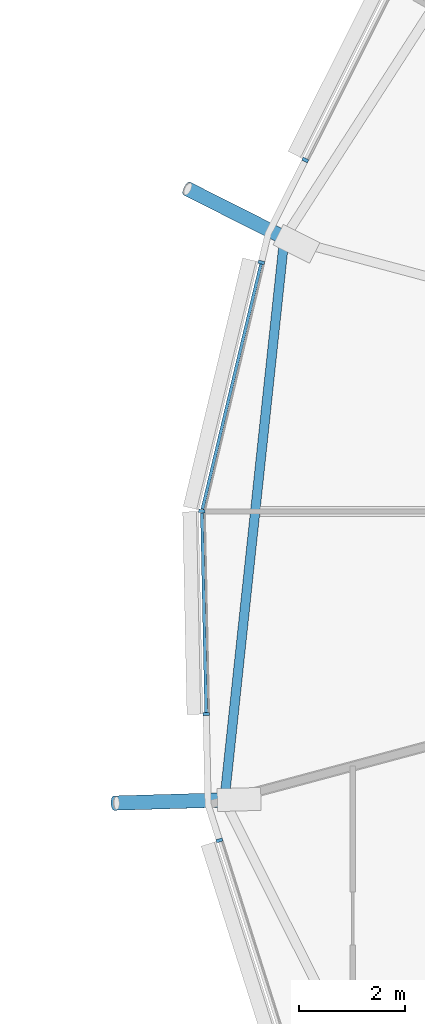
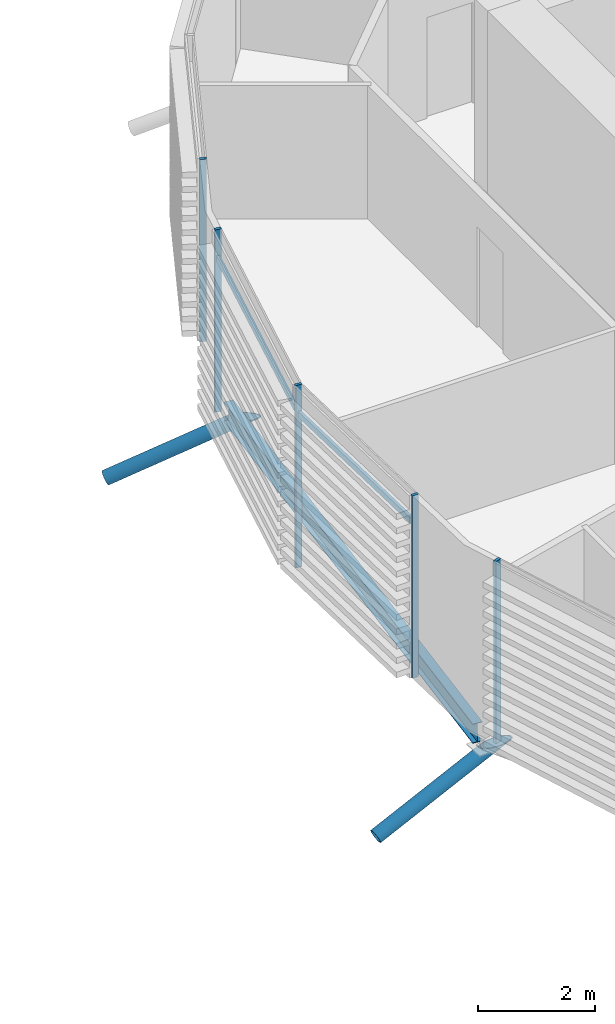
# One storey, part 9 of 36: 9 members, 1 beam, 1 element without a shape of its own.
"""IFC4 building model written with IfcOpenShell, lengths in metres."""

from ifc_helpers import new_model, si_unit, direction, frame, origin, origin_2d, place, context, subcontext, project, spatial, rectangle, hollow_circle, i_section, extrude, clip, halfspace, material, material_profile, profile_set, type_object, element, aggregate, save


model = new_model("IFC4")

# Units and contexts
model_context = context("Model", 3, precision=1e-05, world=origin(), true_north=direction((0.0, 1.0)))
body_context = subcontext(model_context, "Body", "Model", "MODEL_VIEW")
ifc_project = project(units=[si_unit("LENGTHUNIT", "METRE"), si_unit("AREAUNIT", "SQUARE_METRE"), si_unit("VOLUMEUNIT", "CUBIC_METRE"), si_unit("PLANEANGLEUNIT", "RADIAN"), si_unit("MASSUNIT", "GRAM", prefix="KILO")], contexts=[model_context])

# Site, building, storey
site_placement = place(None, origin())
site = spatial("IfcSite", under=ifc_project, at=site_placement, CompositionType="ELEMENT")
building_placement = place(site_placement, origin())
building = spatial("IfcBuilding", under=site, at=building_placement, Name="Rimbun Link Towers", CompositionType="ELEMENT")
storey_placement = place(building_placement, frame((0.0, 0.0, 33.800048828125)))
storey = spatial("IfcBuildingStorey", under=building, at=storey_placement, Name="L07", CompositionType="ELEMENT", Elevation=33.800048828125)

# Curtain wall, members
ifc_material_1 = material(Name="Aluminium 6063-T6 and low-iron glass", Category="aluminium")
curtain_wall_type = type_object("IfcCurtainWallType", Name="CW1 unitised vision wall", PredefinedType="NOTDEFINED", material=ifc_material_1)
curtain_wall_placement = place(storey_placement, origin())
curtain_wall = element("IfcCurtainWall", 1, at=curtain_wall_placement, inside=storey, type_object=curtain_wall_type, Name="CW1 L07 T2", PredefinedType="NOTDEFINED")
ifc_material_2 = material(Name="Aluminium 6063-T6", Category="aluminium")
ifc_material_profile_1 = material_profile(ifc_material_2, rectangle(XDim=0.1201171875, YDim=0.06005859375, at=origin_2d()), Name="MULLION 60X120")
ifc_profile_set_1 = profile_set([ifc_material_profile_1], Name="Aluminium 6063-T6")
member_type_1 = type_object("IfcMemberType", Name="CW1 mullion 60X120", PredefinedType="MULLION", material=ifc_profile_set_1)
member_1_placement = place(storey_placement, frame((12.9072265625, 6.633056640625, 0.0), z_axis=(0.0, 0.0, 1.0), x_axis=(-0.893645687489, 0.448773200217, 0.0)))
member_1 = element("IfcMember", 2, at=member_1_placement, type_object=member_type_1, Name="CW1 mullion", PredefinedType="MULLION", context=body_context, shape_type="SweptSolid", body=[
    extrude(rectangle(XDim=0.1201171875, YDim=0.06005859375, at=origin_2d()), origin(), (0.0, 0.0, 1.0), 3.800048828125),
])
member_2_placement = place(storey_placement, frame((10.956787109375, 0.00634765625, 0.0), z_axis=(0.0, 0.0, 1.0), x_axis=(-0.994297194147, 0.106644689088, 0.0)))
member_2 = element("IfcMember", 3, at=member_2_placement, type_object=member_type_1, Name="CW1 mullion", PredefinedType="MULLION", context=body_context, shape_type="SweptSolid", body=[
    extrude(rectangle(XDim=0.1201171875, YDim=0.06005859375, at=origin_2d()), origin(), (0.0, 0.0, 1.0), 3.800048828125),
])
member_3_placement = place(storey_placement, frame((12.078857421875, 4.699951171875, 0.0), z_axis=(0.0, 0.0, 1.0), x_axis=(-0.972569455913, 0.23261266824, 0.0)))
member_3 = element("IfcMember", 4, at=member_3_placement, type_object=member_type_1, Name="CW1 mullion", PredefinedType="MULLION", context=body_context, shape_type="SweptSolid", body=[
    extrude(rectangle(XDim=0.1201171875, YDim=0.06005859375, at=origin_2d()), origin(), (0.0, 0.0, 1.0), 3.800048828125),
])
member_4_placement = place(storey_placement, frame((11.037109375, -3.825927734375, 0.0), z_axis=(0.0, 0.0, 1.0), x_axis=(-0.999778089999, -0.021065867113, 0.0)))
member_4 = element("IfcMember", 5, at=member_4_placement, type_object=member_type_1, Name="CW1 mullion", PredefinedType="MULLION", context=body_context, shape_type="SweptSolid", body=[
    extrude(rectangle(XDim=0.1201171875, YDim=0.06005859375, at=origin_2d()), origin(), (0.0, 0.0, 1.0), 3.800048828125),
])
member_5_placement = place(storey_placement, frame((11.287841796875, -6.20947265625, 0.0), z_axis=(0.0, 0.0, 1.0), x_axis=(-0.952967107147, -0.303073741351, 0.0)))
member_5 = element("IfcMember", 6, at=member_5_placement, type_object=member_type_1, Name="CW1 mullion", PredefinedType="MULLION", context=body_context, shape_type="SweptSolid", body=[
    extrude(rectangle(XDim=0.1201171875, YDim=0.06005859375, at=origin_2d()), origin(), (0.0, 0.0, 1.0), 3.800048828125),
])
ifc_material_3 = material(Name="Aluminium 6063-T6", Category="aluminium")
ifc_material_profile_2 = material_profile(ifc_material_3, rectangle(XDim=0.06005859375, YDim=0.1201171875, at=origin_2d()), Name="TRANSOM 60X120")
ifc_profile_set_2 = profile_set([ifc_material_profile_2], Name="Aluminium 6063-T6")
member_type_2 = type_object("IfcMemberType", Name="CW1 transom 60X120", PredefinedType="USERDEFINED", material=ifc_profile_set_2)
member_6_placement = place(storey_placement, frame((10.967041015625, 0.042724609375, 3.199951171875), z_axis=(0.232635462589, 0.97256400383, 0.0), x_axis=(-0.97256400383, 0.232635462589, 0.0)))
member_6 = element("IfcMember", 7, at=member_6_placement, type_object=member_type_2, Name="CW1 transom", ObjectType="TRANSOM", PredefinedType="USERDEFINED", context=body_context, shape_type="SweptSolid", body=[
    extrude(rectangle(XDim=0.06005859375, YDim=0.1201171875, at=origin_2d()), origin(), (0.0, 0.0, 1.0), 4.75830078125),
])
member_7_placement = place(storey_placement, frame((11.03857421875, -3.7958984375, 3.199951171875), z_axis=(-0.021071844249, 0.99977796404, 0.0), x_axis=(-0.99977796404, -0.021071844249, 0.0)))
member_7 = element("IfcMember", 8, at=member_7_placement, type_object=member_type_2, Name="CW1 transom", ObjectType="TRANSOM", PredefinedType="USERDEFINED", context=body_context, shape_type="SweptSolid", body=[
    extrude(rectangle(XDim=0.06005859375, YDim=0.1201171875, at=origin_2d()), origin(), (0.0, 0.0, 1.0), 3.765380859375),
])
aggregate(curtain_wall, [member_1, member_2, member_3, member_4, member_5, member_6, member_7])

# Members
ifc_material_4 = material(Name="Steel S355J2H", Category="steel")
ifc_material_profile_3 = material_profile(ifc_material_4, hollow_circle(Radius=0.136474609375, WallThickness=0.012451171875, at=origin_2d()), Name="CHS 273x12.5")
ifc_profile_set_3 = profile_set([ifc_material_profile_3], Name="Steel S355J2H")
member_type_3 = type_object("IfcMemberType", Name="Floor edge link CHS 273x12.5", PredefinedType="BRACE", material=ifc_profile_set_3)
member_8_placement = place(storey_placement, frame((12.56005859375, 5.141845703125, -0.688232421875), z_axis=(-0.798448226332, 0.402844958971, -0.447433088739), x_axis=(-0.450449643657, -0.892801836092, 0.0)))
element("IfcMember", 9, at=member_8_placement, inside=storey, type_object=member_type_3, Name="Floor edge link T2 L07 08", PredefinedType="BRACE", context=body_context, shape_type="Clipping", body=[
    clip(extrude(hollow_circle(Radius=0.136474609375, WallThickness=0.012451171875, at=origin_2d()), frame((0.0, 0.0, -0.568115234375)), (0.0, 0.0, 1.0), 2.927978515625), halfspace(frame((0.0, 0.0, -0.267822265625), z_axis=(0.0, 0.894317410711, -0.447433088739)), False)),
])
member_9_placement = place(storey_placement, frame((11.4296875, -5.44482421875, -0.737548828125), z_axis=(-0.910591972287, -0.026073530303, -0.412483249387), x_axis=(0.028621873504, -0.999590310256, 0.0)))
element("IfcMember", 10, at=member_9_placement, inside=storey, type_object=member_type_3, Name="Floor edge link T2 L07 10", PredefinedType="BRACE", context=body_context, shape_type="Clipping", body=[
    clip(extrude(hollow_circle(Radius=0.136474609375, WallThickness=0.012451171875, at=origin_2d()), frame((0.0, 0.0, -0.627197265625)), (0.0, 0.0, 1.0), 2.968017578125), halfspace(frame((0.0, 0.0, -0.2958984375), z_axis=(0.0, 0.910965185381, -0.412483249387)), False)),
])

# Beam
ifc_material_5 = material(Name="Steel S355J2", Category="steel")
ifc_material_profile_4 = material_profile(ifc_material_5, i_section(OverallWidth=0.177978515625, OverallDepth=0.406494140625, WebThickness=0.0078125, FlangeThickness=0.0126953125, at=origin_2d()), Name="UB 406x178x60")
ifc_profile_set_4 = profile_set([ifc_material_profile_4], Name="Steel S355J2")
beam_type = type_object("IfcBeamType", Name="UB 406x178x60", PredefinedType="BEAM", material=ifc_profile_set_4)
beam_placement = place(storey_placement, frame((12.502197265625, 5.064208984375, -0.36328125), z_axis=(-0.105916930247, -0.994374981527, 0.0), x_axis=(0.994374981527, -0.105916930247, 0.0)))
element("IfcBeam", 11, at=beam_placement, inside=storey, type_object=beam_type, Name="Edge beam T2 L07 08-10", PredefinedType="BEAM", context=body_context, shape_type="SweptSolid", body=[
    extrude(i_section(OverallWidth=0.177978515625, OverallDepth=0.406494140625, WebThickness=0.0078125, FlangeThickness=0.0126953125, at=origin_2d()), origin(), (0.0, 0.0, 1.0), 10.478515625),
])

save(model, "model.ifc")
